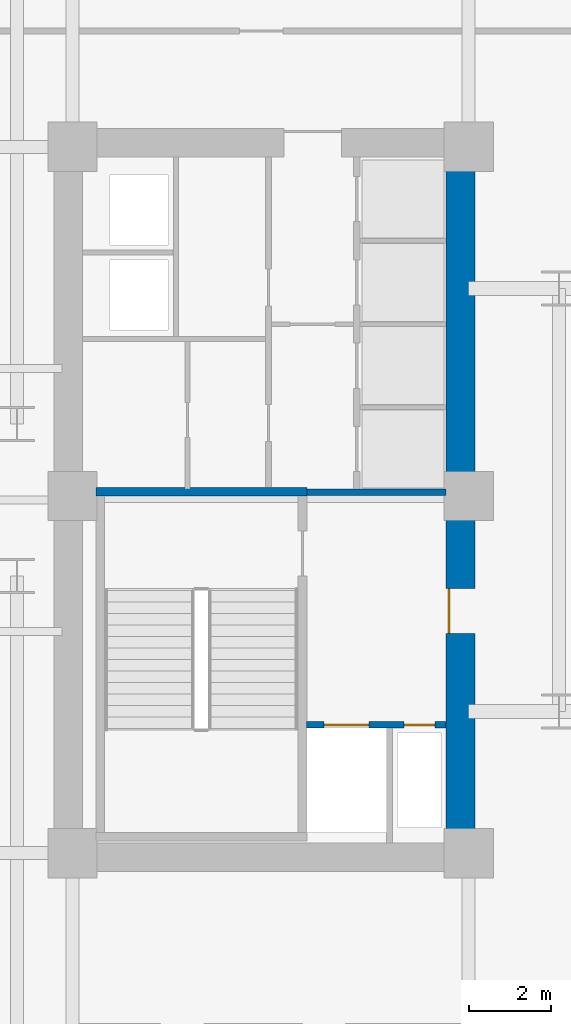
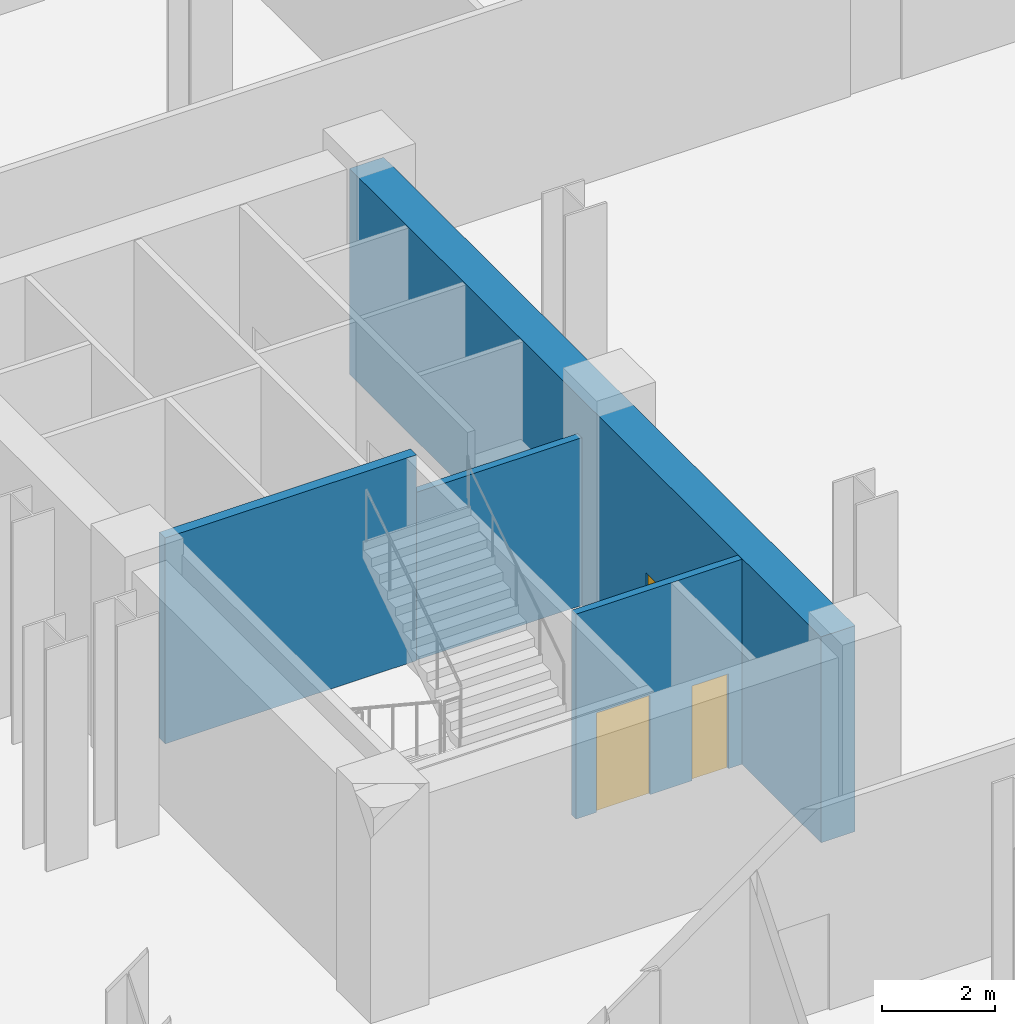
# One storey, part 6 of 13: 4 walls, 3 doors, 3 openings.
"""IFC4 building model written with IfcOpenShell, lengths in metres."""

from ifc_helpers import new_model, si_unit, direction, frame, frame_2d, origin, place, context, subcontext, project, spatial, rectangle, extrude, material, layer, layer_set, type_object, element, fill, save


model = new_model("IFC4")

# Units and contexts
model_context = context("Model", 3, precision=1e-05, world=origin(), true_north=direction((0.0, 1.0)))
body_context = subcontext(model_context, "Body", "Model", "MODEL_VIEW")
ifc_project = project(units=[si_unit("LENGTHUNIT", "METRE"), si_unit("AREAUNIT", "SQUARE_METRE"), si_unit("VOLUMEUNIT", "CUBIC_METRE"), si_unit("PLANEANGLEUNIT", "RADIAN"), si_unit("MASSUNIT", "GRAM", prefix="KILO")], contexts=[model_context])

# Site, building, storey
site_placement = place(None, origin())
site = spatial("IfcSite", under=ifc_project, at=site_placement, CompositionType="ELEMENT")
building_placement = place(site_placement, origin())
building = spatial("IfcBuilding", under=site, at=building_placement, Name="Velakula Bourse", CompositionType="ELEMENT")
storey_placement = place(building_placement, frame((0.0, 0.0, -4.800048828125)))
storey = spatial("IfcBuildingStorey", under=building, at=storey_placement, Name="B01", CompositionType="ELEMENT", Elevation=-4.800048828125)

# Wall
ifc_material_1 = material(Name="Concrete M50 (fck 50 MPa)", Category="concrete")
ifc_layer_1 = layer(ifc_material_1, 0.2099609375, Name="Concrete M50 (fck 50 MPa)", Category="concrete")
ifc_layer_set_1 = layer_set([ifc_layer_1], Name="Concrete M50 (fck 50 MPa)")
wall_type_1 = type_object("IfcWallType", Name="WL-CORE-210", PredefinedType="SHEAR", material=ifc_layer_set_1)
wall_1_placement = place(storey_placement, frame((-12.889892578125, 0.205078125, 0.0), z_axis=(0.0, 0.0, 1.0), x_axis=(-1.0, 0.0, 0.0)))
element("IfcWall", 1, at=wall_1_placement, inside=storey, type_object=wall_type_1, Name="B01 Core W Stairwell Shear Wall N", PredefinedType="SHEAR", context=body_context, shape_type="SweptSolid", body=[
    extrude(rectangle(XDim=5.14013671875, YDim=0.2099609375, at=frame_2d((2.570068359375, 0.0))), origin(), (0.0, 0.0, 1.0), 4.449951171875),
])

# Wall, opening, door
ifc_material_2 = material(Name="Concrete M70 (fck 70 MPa)", Category="concrete")
ifc_layer_2 = layer(ifc_material_2, 0.699951171875, Name="Concrete M70 (fck 70 MPa)", Category="concrete")
ifc_layer_set_2 = layer_set([ifc_layer_2], Name="Concrete M70 (fck 70 MPa)")
wall_type_2 = type_object("IfcWallType", Name="WL-CORE-700", PredefinedType="SHEAR", material=ifc_layer_set_2)
wall_2_placement = place(storey_placement, frame((-9.14990234375, -8.35009765625, 0.0), z_axis=(0.0, 0.0, 1.0), x_axis=(0.0, 1.0, 0.0)))
wall_2 = element("IfcWall", 2, at=wall_2_placement, inside=storey, type_object=wall_type_2, Name="B01 Core W Shear Wall E", PredefinedType="SHEAR", context=body_context, shape_type="SweptSolid", body=[
    extrude(rectangle(XDim=16.7001953125, YDim=0.699951171875, at=frame_2d((8.35009765625, 0.0))), origin(), (0.0, 0.0, 1.0), 4.449951171875),
])
opening_1_placement = place(wall_2_placement, frame((5.10009765625, 0.0, 0.0)))
opening_1 = element("IfcOpeningElement", 3, at=opening_1_placement, cuts=wall_2, Name="Opening D-FLW", PredefinedType="OPENING", context=body_context, shape_type="SweptSolid", body=[
    extrude(rectangle(XDim=1.10009765625, YDim=2.080078125, at=frame_2d((0.550048828125, 1.0400390625))), frame((0.0, 0.35986328125, 0.0), z_axis=(0.0, -1.0, 0.0), x_axis=(1.0, 0.0, 0.0)), (0.0, 0.0, 1.0), 0.719970703125),
])
ifc_material_3 = material(Name="Galvanised painted hollow steel fire door", Category="steel")
door_type_1 = type_object("IfcDoorType", Name="DR-FD120-1100", OperationType="NOTDEFINED", PredefinedType="DOOR", material=ifc_material_3)
door_1_placement = place(opening_1_placement, origin())
door_1 = element("IfcDoor", 4, at=door_1_placement, inside=storey, type_object=door_type_1, Name="B01 Firefighting Lobby W Corridor Fire Door", OperationType="SINGLE_SWING_LEFT", OverallHeight=2.080078125, OverallWidth=1.10009765625, PredefinedType="DOOR", context=body_context, shape_type="SweptSolid", body=[
    extrude(rectangle(XDim=1.10009765625, YDim=2.080078125, at=frame_2d((0.550048828125, 1.0400390625))), frame((0.0, 0.30517578125, 0.0), z_axis=(0.0, -1.0, 0.0), x_axis=(1.0, 0.0, 0.0)), (0.0, 0.0, 1.0), 0.050048828125),
])
fill(opening_1, door_1)

# Wall, openings, doors
ifc_material_4 = material(Name="Autoclaved aerated concrete blockwork masonry", Category="masonry")
ifc_layer_3 = layer(ifc_material_4, 0.14990234375, Name="Autoclaved aerated concrete blockwork masonry", Category="masonry")
ifc_layer_set_3 = layer_set([ifc_layer_3], Name="Autoclaved aerated concrete blockwork masonry")
wall_type_3 = type_object("IfcWallType", Name="WL-SHAFT-150", PredefinedType="STANDARD", material=ifc_layer_set_3)
wall_3_placement = place(storey_placement, frame((-12.89501953125, -5.47509765625, 0.0), z_axis=(0.0, 0.0, 1.0), x_axis=(1.0, 0.0, 0.0)))
wall_3 = element("IfcWall", 5, at=wall_3_placement, inside=storey, type_object=wall_type_3, Name="B01 Interior Partition WL-CRW-B01-FFL-N", PredefinedType="STANDARD", context=body_context, shape_type="SweptSolid", body=[
    extrude(rectangle(XDim=3.39501953125, YDim=0.14990234375, at=frame_2d((1.697509765625, 0.0))), origin(), (0.0, 0.0, 1.0), 4.429931640625),
])
opening_2_placement = place(wall_3_placement, frame((0.419921875, 0.0, 0.0)))
opening_2 = element("IfcOpeningElement", 6, at=opening_2_placement, cuts=wall_3, Name="Opening LD-FFL-1", PredefinedType="OPENING", context=body_context, shape_type="SweptSolid", body=[
    extrude(rectangle(XDim=1.10009765625, YDim=2.14990234375, at=frame_2d((0.550048828125, 1.074951171875))), frame((0.0, 0.0849609375, 0.0), z_axis=(0.0, -1.0, 0.0), x_axis=(1.0, 0.0, 0.0)), (0.0, 0.0, 1.0), 0.169921875),
])
opening_3_placement = place(wall_3_placement, frame((2.3701171875, 0.0, 0.0)))
opening_3 = element("IfcOpeningElement", 7, at=opening_3_placement, cuts=wall_3, Name="Opening D-RS1", PredefinedType="OPENING", context=body_context, shape_type="SweptSolid", body=[
    extrude(rectangle(XDim=0.75, YDim=2.050048828125, at=frame_2d((0.375, 1.02490234375))), frame((0.0, 0.0849609375, 0.0), z_axis=(0.0, -1.0, 0.0), x_axis=(1.0, 0.0, 0.0)), (0.0, 0.0, 1.0), 0.169921875),
])
door_type_2 = type_object("IfcDoorType", Name="DR-RISER-800", OperationType="NOTDEFINED", PredefinedType="DOOR", material=ifc_material_3)
door_2_placement = place(opening_3_placement, origin())
door_2 = element("IfcDoor", 8, at=door_2_placement, inside=storey, type_object=door_type_2, Name="B01 Fire Riser Access Door", OperationType="SINGLE_SWING_RIGHT", OverallHeight=2.050048828125, OverallWidth=0.75, PredefinedType="DOOR", context=body_context, shape_type="SweptSolid", body=[
    extrude(rectangle(XDim=0.75, YDim=2.050048828125, at=frame_2d((0.375, 1.02490234375))), frame((0.0, 0.02490234375, 0.0), z_axis=(0.0, -1.0, 0.0), x_axis=(1.0, 0.0, 0.0)), (0.0, 0.0, 1.0), 0.050048828125),
])
fill(opening_3, door_2)
ifc_material_5 = material(Name="Brushed grade 316 stainless steel", Category="steel")
door_type_3 = type_object("IfcDoorType", Name="DR-SLIDE-FFL-1100", OperationType="DOUBLE_DOOR_SLIDING", PredefinedType="DOOR", material=ifc_material_5)
door_3_placement = place(opening_2_placement, origin())
door_3 = element("IfcDoor", 9, at=door_3_placement, inside=storey, type_object=door_type_3, Name="B01 Firefighting Lift FFL-1 Sliding Landing Door", OperationType="DOUBLE_DOOR_SLIDING", OverallHeight=2.14990234375, OverallWidth=1.10009765625, PredefinedType="DOOR", context=body_context, shape_type="SweptSolid", body=[
    extrude(rectangle(XDim=1.10009765625, YDim=2.14990234375, at=frame_2d((0.550048828125, 1.074951171875))), frame((0.0, 0.02490234375, 0.0), z_axis=(0.0, -1.0, 0.0), x_axis=(1.0, 0.0, 0.0)), (0.0, 0.0, 1.0), 0.050048828125),
])
fill(opening_2, door_3)

# Wall
wall_4_placement = place(storey_placement, frame((-12.889892578125, 0.18994140625, 0.0), z_axis=(0.0, 0.0, 1.0), x_axis=(1.0, 0.0, 0.0)))
element("IfcWall", 10, at=wall_4_placement, inside=storey, type_object=wall_type_3, Name="B01 Interior Partition WL-CRW-B01-FF-TOP", PredefinedType="STANDARD", context=body_context, shape_type="SweptSolid", body=[
    extrude(rectangle(XDim=3.389892578125, YDim=0.14990234375, at=frame_2d((1.69482421875, 0.0))), origin(), (0.0, 0.0, 1.0), 3.625),
])

save(model, "model.ifc")
